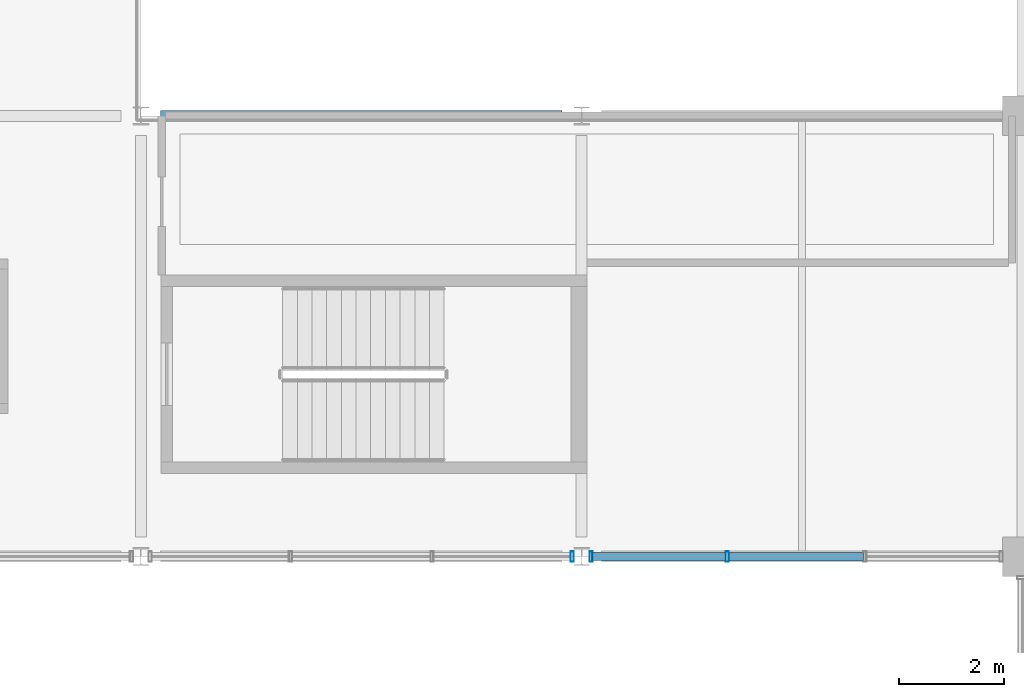
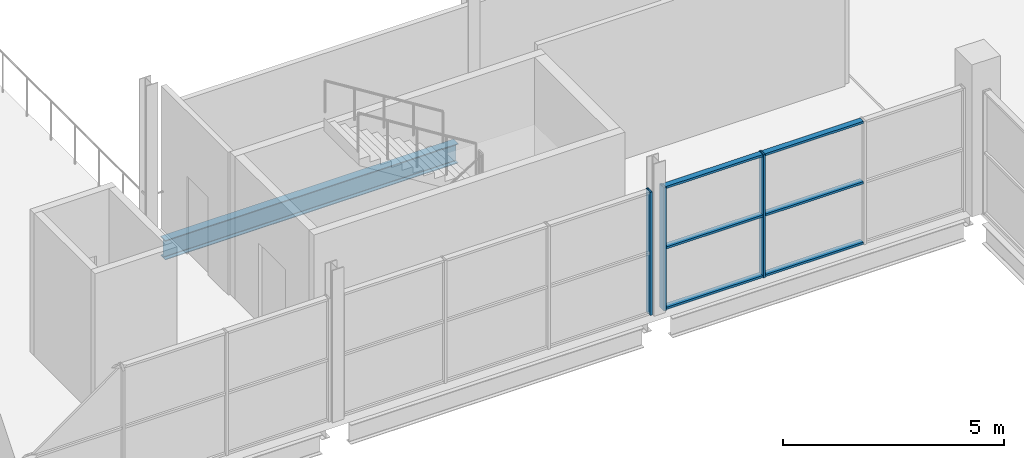
# One storey, part 25 of 161: 9 members, 1 beam, 2 elements without a shape of their own.
"""IFC4 building model written with IfcOpenShell, lengths in metres."""

from ifc_helpers import new_model, si_unit, direction, frame, origin, origin_2d, place, context, subcontext, project, spatial, hollow_rectangle, i_section, extrude, material, material_profile, profile_set, type_object, element, aggregate, save


model = new_model("IFC4")

# Units and contexts
model_context = context("Model", 3, precision=1e-05, world=origin(), true_north=direction((0.0, 1.0)))
body_context = subcontext(model_context, "Body", "Model", "MODEL_VIEW")
ifc_project = project(units=[si_unit("LENGTHUNIT", "METRE"), si_unit("AREAUNIT", "SQUARE_METRE"), si_unit("VOLUMEUNIT", "CUBIC_METRE"), si_unit("PLANEANGLEUNIT", "RADIAN"), si_unit("MASSUNIT", "GRAM", prefix="KILO"), si_unit("THERMODYNAMICTEMPERATUREUNIT", "KELVIN")], contexts=[model_context])

# Site, building, storey
site_placement = place(None, origin())
site = spatial("IfcSite", under=ifc_project, at=site_placement, CompositionType="ELEMENT")
building_placement = place(site_placement, origin())
building = spatial("IfcBuilding", under=site, at=building_placement, Name="Nduvali Passage Aquatics Centre", CompositionType="ELEMENT")
storey_placement = place(building_placement, frame((0.0, 0.0, 4.800048828125)))
storey = spatial("IfcBuildingStorey", under=building, at=storey_placement, Name="L01", CompositionType="ELEMENT", Elevation=4.800048828125)

# Curtain wall, member
ifc_material_1 = material(Name="Aluminium EN AW-6063 T6", Category="aluminium")
curtain_wall_type = type_object("IfcCurtainWallType", Name="ENV-CW-DIVE", PredefinedType="NOTDEFINED", material=ifc_material_1)
curtain_wall_1_placement = place(storey_placement, origin())
curtain_wall_1 = element("IfcCurtainWall", 1, at=curtain_wall_1_placement, inside=storey, type_object=curtain_wall_type, Name="L01 Diving Gallery Clerestory CW 149", PredefinedType="NOTDEFINED")
ifc_material_profile_1 = material_profile(ifc_material_1, hollow_rectangle(XDim=0.06005859375, YDim=0.199951171875, WallThickness=0.00390625, at=origin_2d()), Name="ALU MULLION 60x200x4")
ifc_profile_set_1 = profile_set([ifc_material_profile_1], Name="Aluminium EN AW-6063 T6")
member_type_1 = type_object("IfcMemberType", Name="ENV-MEM-MUL80", PredefinedType="MULLION", material=ifc_profile_set_1)
member_1_placement = place(storey_placement, frame((16.6201171875, 33.60009765625, 0.0), z_axis=(0.0, 0.0, 1.0), x_axis=(1.0, 0.0, 0.0)))
member_1 = element("IfcMember", 2, at=member_1_placement, type_object=member_type_1, Name="Diving Gallery Clerestory CW Mullion 4", PredefinedType="MULLION", context=body_context, shape_type="SweptSolid", body=[
    extrude(hollow_rectangle(XDim=0.06005859375, YDim=0.199951171875, WallThickness=0.00390625, at=origin_2d()), origin(), (0.0, 0.0, 1.0), 3.396484375),
])
aggregate(curtain_wall_1, [member_1])

# Curtain wall, members
curtain_wall_2_placement = place(storey_placement, origin())
curtain_wall_2 = element("IfcCurtainWall", 3, at=curtain_wall_2_placement, inside=storey, type_object=curtain_wall_type, Name="L01 Diving Gallery Clerestory CW 151", PredefinedType="NOTDEFINED")
member_2_placement = place(storey_placement, frame((16.97998046875, 33.60009765625, 0.0), z_axis=(0.0, 0.0, 1.0), x_axis=(1.0, 0.0, 0.0)))
member_2 = element("IfcMember", 4, at=member_2_placement, type_object=member_type_1, Name="Diving Gallery Clerestory CW Mullion 1", PredefinedType="MULLION", context=body_context, shape_type="SweptSolid", body=[
    extrude(hollow_rectangle(XDim=0.06005859375, YDim=0.199951171875, WallThickness=0.00390625, at=origin_2d()), origin(), (0.0, 0.0, 1.0), 3.396484375),
])
member_3_placement = place(storey_placement, frame((19.574951171875, 33.60009765625, 0.0), z_axis=(0.0, 0.0, 1.0), x_axis=(1.0, 0.0, 0.0)))
member_3 = element("IfcMember", 5, at=member_3_placement, type_object=member_type_1, Name="Diving Gallery Clerestory CW Mullion 2", PredefinedType="MULLION", context=body_context, shape_type="SweptSolid", body=[
    extrude(hollow_rectangle(XDim=0.06005859375, YDim=0.199951171875, WallThickness=0.00390625, at=origin_2d()), origin(), (0.0, 0.0, 1.0), 3.396484375),
])
ifc_material_profile_2 = material_profile(ifc_material_1, hollow_rectangle(XDim=0.14990234375, YDim=0.06005859375, WallThickness=0.00390625, at=origin_2d()), Name="ALU TRANSOM 150x60x4")
ifc_profile_set_2 = profile_set([ifc_material_profile_2], Name="Aluminium EN AW-6063 T6")
member_type_2 = type_object("IfcMemberType", Name="ENV-MEM-TRN80", PredefinedType="USERDEFINED", material=ifc_profile_set_2)
member_4_placement = place(storey_placement, frame((17.010009765625, 33.60009765625, 0.030029296875), z_axis=(1.0, 0.0, 0.0), x_axis=(0.0, 1.0, 0.0)))
member_4 = element("IfcMember", 6, at=member_4_placement, type_object=member_type_2, Name="Diving Gallery Clerestory CW Transom B1-R0", ObjectType="TRANSOM", PredefinedType="USERDEFINED", context=body_context, shape_type="SweptSolid", body=[
    extrude(hollow_rectangle(XDim=0.14990234375, YDim=0.06005859375, WallThickness=0.00390625, at=origin_2d()), origin(), (0.0, 0.0, 1.0), 2.534912109375),
])
member_5_placement = place(storey_placement, frame((17.010009765625, 33.60009765625, 1.6982421875), z_axis=(1.0, 0.0, 0.0), x_axis=(0.0, 1.0, 0.0)))
member_5 = element("IfcMember", 7, at=member_5_placement, type_object=member_type_2, Name="Diving Gallery Clerestory CW Transom B1-R1", ObjectType="TRANSOM", PredefinedType="USERDEFINED", context=body_context, shape_type="SweptSolid", body=[
    extrude(hollow_rectangle(XDim=0.14990234375, YDim=0.06005859375, WallThickness=0.00390625, at=origin_2d()), origin(), (0.0, 0.0, 1.0), 2.534912109375),
])
member_6_placement = place(storey_placement, frame((17.010009765625, 33.60009765625, 3.366455078125), z_axis=(1.0, 0.0, 0.0), x_axis=(0.0, 1.0, 0.0)))
member_6 = element("IfcMember", 8, at=member_6_placement, type_object=member_type_2, Name="Diving Gallery Clerestory CW Transom B1-R2", ObjectType="TRANSOM", PredefinedType="USERDEFINED", context=body_context, shape_type="SweptSolid", body=[
    extrude(hollow_rectangle(XDim=0.14990234375, YDim=0.06005859375, WallThickness=0.00390625, at=origin_2d()), origin(), (0.0, 0.0, 1.0), 2.534912109375),
])
member_7_placement = place(storey_placement, frame((19.60498046875, 33.60009765625, 0.030029296875), z_axis=(1.0, 0.0, 0.0), x_axis=(0.0, 1.0, 0.0)))
member_7 = element("IfcMember", 9, at=member_7_placement, type_object=member_type_2, Name="Diving Gallery Clerestory CW Transom B2-R0", ObjectType="TRANSOM", PredefinedType="USERDEFINED", context=body_context, shape_type="SweptSolid", body=[
    extrude(hollow_rectangle(XDim=0.14990234375, YDim=0.06005859375, WallThickness=0.00390625, at=origin_2d()), origin(), (0.0, 0.0, 1.0), 2.56494140625),
])
member_8_placement = place(storey_placement, frame((19.60498046875, 33.60009765625, 1.6982421875), z_axis=(1.0, 0.0, 0.0), x_axis=(0.0, 1.0, 0.0)))
member_8 = element("IfcMember", 10, at=member_8_placement, type_object=member_type_2, Name="Diving Gallery Clerestory CW Transom B2-R1", ObjectType="TRANSOM", PredefinedType="USERDEFINED", context=body_context, shape_type="SweptSolid", body=[
    extrude(hollow_rectangle(XDim=0.14990234375, YDim=0.06005859375, WallThickness=0.00390625, at=origin_2d()), origin(), (0.0, 0.0, 1.0), 2.56494140625),
])
member_9_placement = place(storey_placement, frame((19.60498046875, 33.60009765625, 3.366455078125), z_axis=(1.0, 0.0, 0.0), x_axis=(0.0, 1.0, 0.0)))
member_9 = element("IfcMember", 11, at=member_9_placement, type_object=member_type_2, Name="Diving Gallery Clerestory CW Transom B2-R2", ObjectType="TRANSOM", PredefinedType="USERDEFINED", context=body_context, shape_type="SweptSolid", body=[
    extrude(hollow_rectangle(XDim=0.14990234375, YDim=0.06005859375, WallThickness=0.00390625, at=origin_2d()), origin(), (0.0, 0.0, 1.0), 2.56494140625),
])
aggregate(curtain_wall_2, [member_2, member_3, member_4, member_5, member_6, member_7, member_8, member_9])

# Beam
ifc_material_2 = material(Name="Steel S355", Category="steel")
ifc_material_profile_3 = material_profile(ifc_material_2, i_section(OverallWidth=0.210693359375, OverallDepth=0.53955078125, WebThickness=0.01171875, FlangeThickness=0.018798828125, FilletRadius=0.0126953125, at=origin_2d()), Name="UKB 533x210x109")
ifc_profile_set_3 = profile_set([ifc_material_profile_3], Name="Steel S355")
beam_type = type_object("IfcBeamType", Name="STR-BM-UKB533", PredefinedType="BEAM", material=ifc_profile_set_3)
beam_placement = place(storey_placement, frame((8.77490234375, 42.0, -0.553955078125), z_axis=(1.0, 0.0, 0.0), x_axis=(0.0, 1.0, 0.0)))
element("IfcBeam", 12, at=beam_placement, inside=storey, type_object=beam_type, Name="L01 Primary X-Girder B6-0473", PredefinedType="BEAM", context=body_context, shape_type="SweptSolid", body=[
    extrude(i_section(OverallWidth=0.210693359375, OverallDepth=0.53955078125, WebThickness=0.01171875, FlangeThickness=0.018798828125, FilletRadius=0.0126953125, at=origin_2d()), origin(), (0.0, 0.0, 1.0), 7.650146484375),
])

save(model, "model.ifc")
